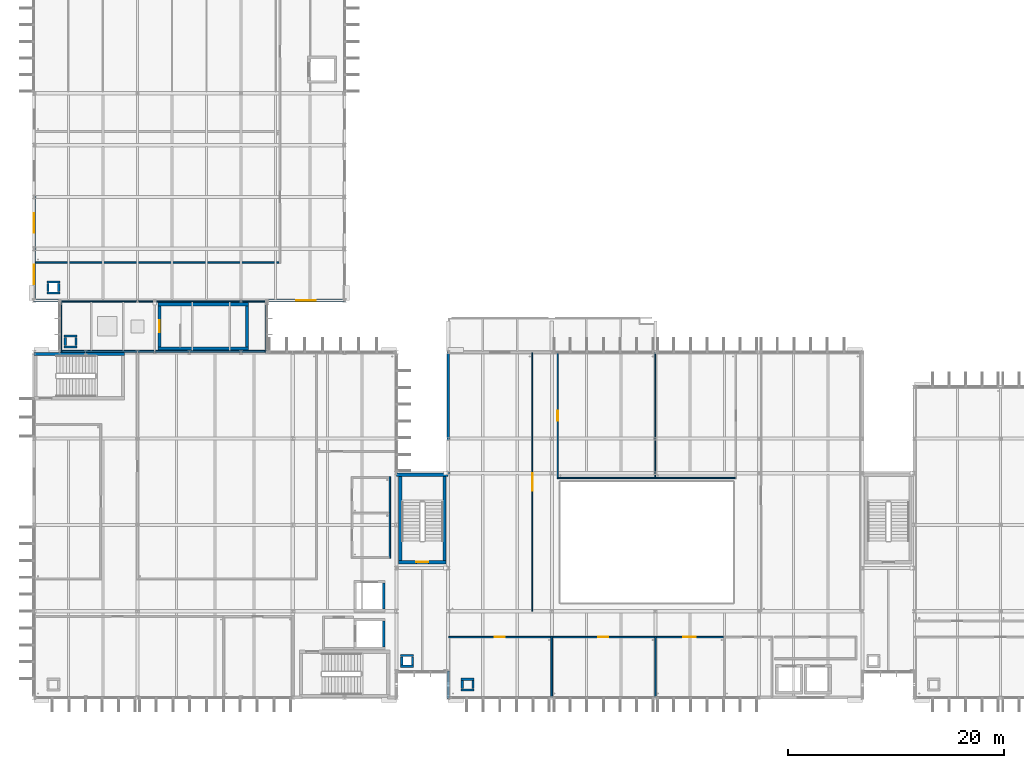
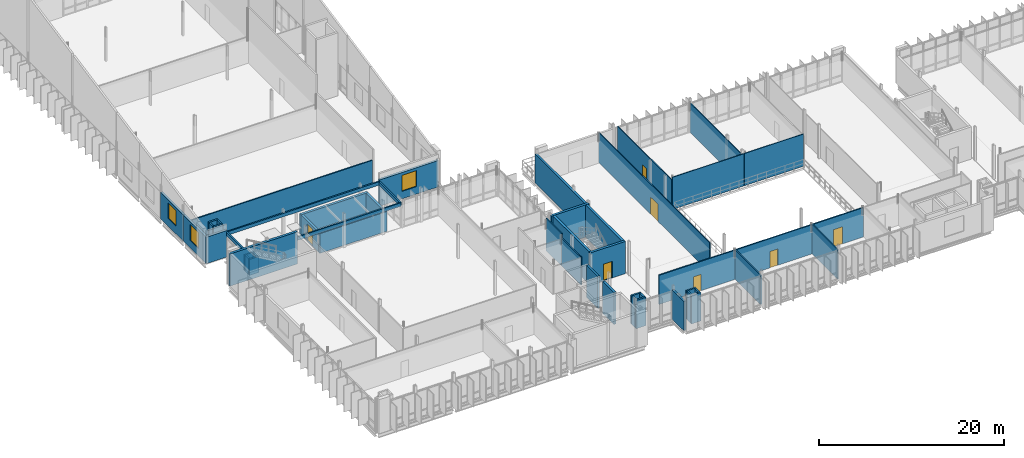
# One storey, part 51 of 93: 50 walls, 7 doors, 3 windows, 10 openings.
"""IFC4 building model written with IfcOpenShell, lengths in metres."""

from ifc_helpers import new_model, si_unit, direction, frame, frame_2d, origin, place, context, subcontext, project, spatial, rectangle, extrude, material, layer, layer_set, type_object, element, fill, save


model = new_model("IFC4")

# Units and contexts
model_context = context("Model", 3, precision=1e-05, world=origin(), true_north=direction((0.0, 1.0)))
body_context = subcontext(model_context, "Body", "Model", "MODEL_VIEW")
ifc_project = project(units=[si_unit("LENGTHUNIT", "METRE"), si_unit("AREAUNIT", "SQUARE_METRE"), si_unit("VOLUMEUNIT", "CUBIC_METRE"), si_unit("PLANEANGLEUNIT", "RADIAN"), si_unit("MASSUNIT", "GRAM", prefix="KILO")], contexts=[model_context])

# Site, building, storey
site_placement = place(None, origin())
site = spatial("IfcSite", under=ifc_project, at=site_placement, CompositionType="ELEMENT")
building_placement = place(site_placement, origin())
building = spatial("IfcBuilding", under=site, at=building_placement, Name="Dunescarp Central Library", CompositionType="ELEMENT")
storey_placement = place(building_placement, frame((0.0, 0.0, 14.10009765625)))
storey = spatial("IfcBuildingStorey", under=building, at=storey_placement, Name="L03", CompositionType="ELEMENT", Elevation=14.10009765625)

# Wall, opening, door
ifc_material_1 = material(Name="Gypsum plasterboard acoustic partition")
ifc_layer_1 = layer(ifc_material_1, 0.14990234375)
ifc_layer_set_1 = layer_set([ifc_layer_1], Name="Gypsum plasterboard acoustic partition")
wall_type_1 = type_object("IfcWallType", Name="ARC-PT-AC150", PredefinedType="PARTITIONING", material=ifc_layer_set_1)
wall_1_placement = place(storey_placement, frame((38.43994140625, 10.39990234375, 0.0), z_axis=(0.0, 0.0, 1.0), x_axis=(1.0, 0.0, 0.0)))
wall_1 = element("IfcWall", 1, at=wall_1_placement, inside=storey, type_object=wall_type_1, Name="L03 partition PT-L03-0201", PredefinedType="PARTITIONING", context=body_context, shape_type="SweptSolid", body=[
    extrude(rectangle(XDim=9.485107421875, YDim=0.14990234375, at=frame_2d((4.74267578125, 0.0))), origin(), (0.0, 0.0, 1.0), 3.86181640625),
])
opening_1_placement = place(wall_1_placement, frame((4.26806640625, 0.0, 0.0)))
opening_1 = element("IfcOpeningElement", 2, at=opening_1_placement, cuts=wall_1, Name="Opening DR-L03-0080", PredefinedType="OPENING", context=body_context, shape_type="SweptSolid", body=[
    extrude(rectangle(XDim=0.949951171875, YDim=2.14990234375, at=frame_2d((0.47509765625, 1.074951171875))), frame((0.0, 0.0849609375, 0.0), z_axis=(0.0, -1.0, 0.0), x_axis=(1.0, 0.0, 0.0)), (0.0, 0.0, 1.0), 0.169921875),
])
ifc_material_2 = material(Name="Hardwood solid-core timber leaf", Category="wood")
door_type_1 = type_object("IfcDoorType", Name="ARC-DR-INT950", OperationType="NOTDEFINED", PredefinedType="DOOR", material=ifc_material_2)
door_1_placement = place(opening_1_placement, origin())
door_1 = element("IfcDoor", 3, at=door_1_placement, inside=storey, type_object=door_type_1, Name="L03 interior door DR-L03-0080", OperationType="SINGLE_SWING_RIGHT", OverallHeight=2.14990234375, OverallWidth=0.949951171875, PredefinedType="DOOR", context=body_context, shape_type="SweptSolid", body=[
    extrude(rectangle(XDim=0.949951171875, YDim=2.14990234375, at=frame_2d((0.47509765625, 1.074951171875))), frame((0.0, 0.02490234375, 0.0), z_axis=(0.0, -1.0, 0.0), x_axis=(1.0, 0.0, 0.0)), (0.0, 0.0, 1.0), 0.050048828125),
])
fill(opening_1, door_1)

# Wall
wall_2_placement = place(storey_placement, frame((48.0, 4.840087890625, 0.0), z_axis=(0.0, 0.0, 1.0), x_axis=(0.0, 1.0, 0.0)))
element("IfcWall", 4, at=wall_2_placement, inside=storey, type_object=wall_type_1, Name="L03 partition PT-L03-0202", PredefinedType="PARTITIONING", context=body_context, shape_type="SweptSolid", body=[
    extrude(rectangle(XDim=5.635009765625, YDim=0.14990234375, at=frame_2d((2.8173828125, 0.0))), origin(), (0.0, 0.0, 1.0), 3.86181640625),
])

# Wall, opening, door
wall_3_placement = place(storey_placement, frame((48.0, 10.39990234375, 0.0), z_axis=(0.0, 0.0, 1.0), x_axis=(1.0, 0.0, 0.0)))
wall_3 = element("IfcWall", 5, at=wall_3_placement, inside=storey, type_object=wall_type_1, Name="L03 partition PT-L03-0203", PredefinedType="PARTITIONING", context=body_context, shape_type="SweptSolid", body=[
    extrude(rectangle(XDim=9.52490234375, YDim=0.14990234375, at=frame_2d((4.762451171875, 0.0))), origin(), (0.0, 0.0, 1.0), 3.86181640625),
])
opening_2_placement = place(wall_3_placement, frame((4.287109375, 0.0, 0.0)))
opening_2 = element("IfcOpeningElement", 6, at=opening_2_placement, cuts=wall_3, Name="Opening DR-L03-0081", PredefinedType="OPENING", context=body_context, shape_type="SweptSolid", body=[
    extrude(rectangle(XDim=0.949951171875, YDim=2.14990234375, at=frame_2d((0.47509765625, 1.074951171875))), frame((0.0, 0.0849609375, 0.0), z_axis=(0.0, -1.0, 0.0), x_axis=(1.0, 0.0, 0.0)), (0.0, 0.0, 1.0), 0.169921875),
])
door_2_placement = place(opening_2_placement, origin())
door_2 = element("IfcDoor", 7, at=door_2_placement, inside=storey, type_object=door_type_1, Name="L03 interior door DR-L03-0081", OperationType="SINGLE_SWING_LEFT", OverallHeight=2.14990234375, OverallWidth=0.949951171875, PredefinedType="DOOR", context=body_context, shape_type="SweptSolid", body=[
    extrude(rectangle(XDim=0.949951171875, YDim=2.14990234375, at=frame_2d((0.47509765625, 1.074951171875))), frame((0.0, 0.02490234375, 0.0), z_axis=(0.0, -1.0, 0.0), x_axis=(1.0, 0.0, 0.0)), (0.0, 0.0, 1.0), 0.050048828125),
])
fill(opening_2, door_2)

# Wall
wall_4_placement = place(storey_placement, frame((57.60009765625, 4.840087890625, 0.0), z_axis=(0.0, 0.0, 1.0), x_axis=(0.0, 1.0, 0.0)))
element("IfcWall", 8, at=wall_4_placement, inside=storey, type_object=wall_type_1, Name="L03 partition PT-L03-0204", PredefinedType="PARTITIONING", context=body_context, shape_type="SweptSolid", body=[
    extrude(rectangle(XDim=5.635009765625, YDim=0.14990234375, at=frame_2d((2.8173828125, 0.0))), origin(), (0.0, 0.0, 1.0), 3.86181640625),
])

# Wall, opening, door
wall_5_placement = place(storey_placement, frame((57.60009765625, 10.39990234375, 0.0), z_axis=(0.0, 0.0, 1.0), x_axis=(1.0, 0.0, 0.0)))
wall_5 = element("IfcWall", 9, at=wall_5_placement, inside=storey, type_object=wall_type_1, Name="L03 partition PT-L03-0205", PredefinedType="PARTITIONING", context=body_context, shape_type="SweptSolid", body=[
    extrude(rectangle(XDim=6.324951171875, YDim=0.14990234375, at=frame_2d((3.16259765625, 0.0))), origin(), (0.0, 0.0, 1.0), 3.86181640625),
])
opening_3_placement = place(wall_5_placement, frame((2.5869140625, 0.0, 0.0)))
opening_3 = element("IfcOpeningElement", 10, at=opening_3_placement, cuts=wall_5, Name="Opening DR-L03-0082", PredefinedType="OPENING", context=body_context, shape_type="SweptSolid", body=[
    extrude(rectangle(XDim=1.14990234375, YDim=2.25, at=frame_2d((0.574951171875, 1.125))), frame((0.0, 0.0849609375, 0.0), z_axis=(0.0, -1.0, 0.0), x_axis=(1.0, 0.0, 0.0)), (0.0, 0.0, 1.0), 0.169921875),
])
door_type_2 = type_object("IfcDoorType", Name="ARC-DR-STD1150", OperationType="NOTDEFINED", PredefinedType="DOOR", material=ifc_material_2)
door_3_placement = place(opening_3_placement, origin())
door_3 = element("IfcDoor", 11, at=door_3_placement, inside=storey, type_object=door_type_2, Name="L03 interior door DR-L03-0082", OperationType="SINGLE_SWING_RIGHT", OverallHeight=2.25, OverallWidth=1.14990234375, PredefinedType="DOOR", context=body_context, shape_type="SweptSolid", body=[
    extrude(rectangle(XDim=1.14990234375, YDim=2.25, at=frame_2d((0.574951171875, 1.125))), frame((0.0, 0.02490234375, 0.0), z_axis=(0.0, -1.0, 0.0), x_axis=(1.0, 0.0, 0.0)), (0.0, 0.0, 1.0), 0.050048828125),
])
fill(opening_3, door_3)

# Wall
wall_6_placement = place(storey_placement, frame((0.0400390625, 45.139892578125, 0.0), z_axis=(0.0, 0.0, 1.0), x_axis=(1.0, 0.0, 0.0)))
element("IfcWall", 12, at=wall_6_placement, inside=storey, type_object=wall_type_1, Name="L03 partition PT-L03-0372", PredefinedType="PARTITIONING", context=body_context, shape_type="SweptSolid", body=[
    extrude(rectangle(XDim=22.68505859375, YDim=0.14990234375, at=frame_2d((11.342529296875, 0.0))), origin(), (0.0, 0.0, 1.0), 3.474853515625),
])

# Wall, opening, door
ifc_material_3 = material(Name="Solar-control laminated double glazing", Category="glass")
ifc_layer_2 = layer(ifc_material_3, 0.10009765625)
ifc_layer_set_2 = layer_set([ifc_layer_2], Name="Solar-control laminated double glazing")
wall_type_2 = type_object("IfcWallType", Name="ARC-PT-GLZ100", PredefinedType="MOVABLE", material=ifc_layer_set_2)
wall_7_placement = place(storey_placement, frame((46.199951171875, 12.800048828125, 0.0), z_axis=(0.0, 0.0, 1.0), x_axis=(0.0, 1.0, 0.0)))
wall_7 = element("IfcWall", 13, at=wall_7_placement, inside=storey, type_object=wall_type_2, Name="L03 partition PT-L03-0209", PredefinedType="MOVABLE", context=body_context, shape_type="SweptSolid", body=[
    extrude(rectangle(XDim=23.9599609375, YDim=0.10009765625, at=frame_2d((11.97998046875, 0.0))), origin(), (0.0, 0.0, 1.0), 3.96484375),
])
opening_4_placement = place(wall_7_placement, frame((11.179931640625, 0.0, 0.0)))
opening_4 = element("IfcOpeningElement", 14, at=opening_4_placement, cuts=wall_7, Name="Opening DR-L03-0084", PredefinedType="OPENING", context=body_context, shape_type="SweptSolid", body=[
    extrude(rectangle(XDim=1.60009765625, YDim=2.25, at=frame_2d((0.800048828125, 1.125))), frame((0.0, 0.06005859375, 0.0), z_axis=(0.0, -1.0, 0.0), x_axis=(1.0, 0.0, 0.0)), (0.0, 0.0, 1.0), 0.1201171875),
])
ifc_material_4 = material(Name="Marine-grade anodised aluminium 6063-T6", Category="aluminium")
door_type_3 = type_object("IfcDoorType", Name="ARC-DR-DBL1600", OperationType="DOUBLE_DOOR_SINGLE_SWING", PredefinedType="DOOR", material=ifc_material_4)
door_4_placement = place(opening_4_placement, origin())
door_4 = element("IfcDoor", 15, at=door_4_placement, inside=storey, type_object=door_type_3, Name="L03 interior door DR-L03-0084", OperationType="DOUBLE_DOOR_SINGLE_SWING", OverallHeight=2.25, OverallWidth=1.60009765625, PredefinedType="DOOR", context=body_context, shape_type="SweptSolid", body=[
    extrude(rectangle(XDim=1.60009765625, YDim=2.25, at=frame_2d((0.800048828125, 1.125))), frame((0.0, 0.02490234375, 0.0), z_axis=(0.0, -1.0, 0.0), x_axis=(1.0, 0.0, 0.0)), (0.0, 0.0, 1.0), 0.050048828125),
])
fill(opening_4, door_4)

# Wall
wall_8_placement = place(storey_placement, frame((48.60009765625, 25.14990234375, 0.0), z_axis=(0.0, 0.0, 1.0), x_axis=(1.0, 0.0, 0.0)))
element("IfcWall", 16, at=wall_8_placement, inside=storey, type_object=wall_type_2, Name="L03 partition PT-L03-0212", PredefinedType="MOVABLE", context=body_context, shape_type="SweptSolid", body=[
    extrude(rectangle(XDim=8.949951171875, YDim=0.10009765625, at=frame_2d((4.47509765625, 0.0))), origin(), (0.0, 0.0, 1.0), 4.25),
])

# Wall, opening, door
wall_9_placement = place(storey_placement, frame((48.550048828125, 25.10009765625, 0.0), z_axis=(0.0, 0.0, 1.0), x_axis=(0.0, 1.0, 0.0)))
wall_9 = element("IfcWall", 17, at=wall_9_placement, inside=storey, type_object=wall_type_2, Name="L03 partition PT-L03-0213", PredefinedType="MOVABLE", context=body_context, shape_type="SweptSolid", body=[
    extrude(rectangle(XDim=11.659912109375, YDim=0.10009765625, at=frame_2d((5.830078125, 0.0))), origin(), (0.0, 0.0, 1.0), 3.96484375),
])
opening_5_placement = place(wall_9_placement, frame((5.35498046875, 0.0, 0.0)))
opening_5 = element("IfcOpeningElement", 18, at=opening_5_placement, cuts=wall_9, Name="Opening DR-L03-0086", PredefinedType="OPENING", context=body_context, shape_type="SweptSolid", body=[
    extrude(rectangle(XDim=0.949951171875, YDim=2.14990234375, at=frame_2d((0.47509765625, 1.074951171875))), frame((0.0, 0.06005859375, 0.0), z_axis=(0.0, -1.0, 0.0), x_axis=(1.0, 0.0, 0.0)), (0.0, 0.0, 1.0), 0.1201171875),
])
door_5_placement = place(opening_5_placement, origin())
door_5 = element("IfcDoor", 19, at=door_5_placement, inside=storey, type_object=door_type_1, Name="L03 interior door DR-L03-0086", OperationType="SINGLE_SWING_RIGHT", OverallHeight=2.14990234375, OverallWidth=0.949951171875, PredefinedType="DOOR", context=body_context, shape_type="SweptSolid", body=[
    extrude(rectangle(XDim=0.949951171875, YDim=2.14990234375, at=frame_2d((0.47509765625, 1.074951171875))), frame((0.0, 0.02490234375, 0.0), z_axis=(0.0, -1.0, 0.0), x_axis=(1.0, 0.0, 0.0)), (0.0, 0.0, 1.0), 0.050048828125),
])
fill(opening_5, door_5)

# Walls
wall_10_placement = place(storey_placement, frame((57.60009765625, 25.10009765625, 0.0), z_axis=(0.0, 0.0, 1.0), x_axis=(0.0, 1.0, 0.0)))
element("IfcWall", 20, at=wall_10_placement, inside=storey, type_object=wall_type_2, Name="L03 partition PT-L03-0214", PredefinedType="MOVABLE", context=body_context, shape_type="SweptSolid", body=[
    extrude(rectangle(XDim=11.659912109375, YDim=0.10009765625, at=frame_2d((5.830078125, 0.0))), origin(), (0.0, 0.0, 1.0), 3.86181640625),
])
wall_11_placement = place(storey_placement, frame((57.60009765625, 25.14990234375, 0.0), z_axis=(0.0, 0.0, 1.0), x_axis=(1.0, 0.0, 0.0)))
element("IfcWall", 21, at=wall_11_placement, inside=storey, type_object=wall_type_2, Name="L03 partition PT-L03-0215", PredefinedType="MOVABLE", context=body_context, shape_type="SweptSolid", body=[
    extrude(rectangle(XDim=7.39990234375, YDim=0.10009765625, at=frame_2d((3.699951171875, 0.0))), origin(), (0.0, 0.0, 1.0), 4.25),
])
ifc_material_5 = material(Name="Autoclaved aerated concrete block", Category="concrete")
ifc_layer_3 = layer(ifc_material_5, 0.139892578125)
ifc_layer_set_3 = layer_set([ifc_layer_3], Name="Autoclaved aerated concrete block")
wall_type_3 = type_object("IfcWallType", Name="ARC-PT-WET140", PredefinedType="PARTITIONING", material=ifc_layer_set_3)
wall_12_placement = place(storey_placement, frame((33.0, 17.72998046875, 0.0), z_axis=(0.0, 0.0, 1.0), x_axis=(0.0, 1.0, 0.0)))
element("IfcWall", 22, at=wall_12_placement, inside=storey, type_object=wall_type_3, Name="L03 partition PT-L03-0076", PredefinedType="PARTITIONING", context=body_context, shape_type="SweptSolid", body=[
    extrude(rectangle(XDim=4.239990234375, YDim=0.139892578125, at=frame_2d((2.1201171875, 0.0))), origin(), (0.0, 0.0, 1.0), 3.6748046875),
])
wall_13_placement = place(storey_placement, frame((33.0, 21.89990234375, 0.0), z_axis=(0.0, 0.0, 1.0), x_axis=(0.0, 1.0, 0.0)))
element("IfcWall", 23, at=wall_13_placement, inside=storey, type_object=wall_type_3, Name="L03 partition PT-L03-0079", PredefinedType="PARTITIONING", context=body_context, shape_type="SweptSolid", body=[
    extrude(rectangle(XDim=3.3701171875, YDim=0.139892578125, at=frame_2d((1.68505859375, 0.0))), origin(), (0.0, 0.0, 1.0), 4.25),
])
ifc_material_6 = material(Name="Glass-fibre reinforced concrete GRC", Category="concrete")
ifc_layer_4 = layer(ifc_material_6, 0.260009765625)
ifc_layer_set_4 = layer_set([ifc_layer_4], Name="Glass-fibre reinforced concrete GRC")
wall_type_4 = type_object("IfcWallType", Name="ARC-WL-GRC260", PredefinedType="SOLIDWALL", material=ifc_layer_set_4)
wall_14_placement = place(storey_placement, frame((38.39990234375, 4.715087890625, 0.0), z_axis=(0.0, 0.0, 1.0), x_axis=(0.0, 1.0, 0.0)))
element("IfcWall", 24, at=wall_14_placement, inside=storey, type_object=wall_type_4, Name="L03 external wall EW-V2-050", PredefinedType="SOLIDWALL", context=body_context, shape_type="SweptSolid", body=[
    extrude(rectangle(XDim=2.56982421875, YDim=0.260009765625, at=frame_2d((1.284912109375, 0.0))), origin(), (0.0, 0.0, 1.0), 3.8349609375),
])
wall_15_placement = place(storey_placement, frame((38.39990234375, 25.514892578125, 0.0), z_axis=(0.0, 0.0, 1.0), x_axis=(0.0, 1.0, 0.0)))
element("IfcWall", 25, at=wall_15_placement, inside=storey, type_object=wall_type_4, Name="L03 external wall EW-V2-051", PredefinedType="SOLIDWALL", context=body_context, shape_type="SweptSolid", body=[
    extrude(rectangle(XDim=11.3701171875, YDim=0.260009765625, at=frame_2d((5.68505859375, 0.0))), origin(), (0.0, 0.0, 1.0), 3.8349609375),
])
ifc_layer_5 = layer(ifc_material_6, 0.280029296875)
ifc_layer_set_5 = layer_set([ifc_layer_5], Name="Glass-fibre reinforced concrete GRC")
wall_type_5 = type_object("IfcWallType", Name="ARC-WL-GRC280", PredefinedType="SOLIDWALL", material=ifc_layer_set_5)
wall_16_placement = place(storey_placement, frame((2.485107421875, 41.60009765625, 0.0), z_axis=(0.0, 0.0, 1.0), x_axis=(-1.0, 0.0, 0.0)))
element("IfcWall", 26, at=wall_16_placement, inside=storey, type_object=wall_type_5, Name="L03 external wall EW-V4-137", PredefinedType="SOLIDWALL", context=body_context, shape_type="SweptSolid", body=[
    extrude(rectangle(XDim=2.570068359375, YDim=0.280029296875, at=frame_2d((1.28515625, 0.0))), origin(), (0.0, 0.0, 1.0), 3.48193359375),
])

# Wall, opening, window
wall_17_placement = place(storey_placement, frame((28.885009765625, 41.60009765625, 0.0), z_axis=(0.0, 0.0, 1.0), x_axis=(-1.0, 0.0, 0.0)))
wall_17 = element("IfcWall", 27, at=wall_17_placement, inside=storey, type_object=wall_type_5, Name="L03 external wall EW-V4-138", PredefinedType="SOLIDWALL", context=body_context, shape_type="SweptSolid", body=[
    extrude(rectangle(XDim=7.3701171875, YDim=0.280029296875, at=frame_2d((3.68505859375, 0.0))), origin(), (0.0, 0.0, 1.0), 3.48193359375),
])
opening_6_placement = place(wall_17_placement, frame((2.784912109375, 0.0, 1.0)))
opening_6 = element("IfcOpeningElement", 28, at=opening_6_placement, cuts=wall_17, Name="Opening WN-V4S-L03", PredefinedType="OPENING", context=body_context, shape_type="SweptSolid", body=[
    extrude(rectangle(XDim=1.800048828125, YDim=2.10009765625, at=frame_2d((0.89990234375, 1.050048828125))), frame((0.0, 0.14990234375, 0.0), z_axis=(0.0, -1.0, 0.0), x_axis=(1.0, 0.0, 0.0)), (0.0, 0.0, 1.0), 0.300048828125),
])
window_type = type_object("IfcWindowType", Name="ARC-WN-1800X2100", PartitioningType="SINGLE_PANEL", PredefinedType="WINDOW", material=ifc_material_3)
window_1_placement = place(opening_6_placement, origin())
window_1 = element("IfcWindow", 29, at=window_1_placement, inside=storey, type_object=window_type, Name="L03 window WN-V4S-L03", OverallHeight=2.10009765625, OverallWidth=1.800048828125, PartitioningType="SINGLE_PANEL", PredefinedType="WINDOW", context=body_context, shape_type="SweptSolid", body=[
    extrude(rectangle(XDim=1.800048828125, YDim=2.10009765625, at=frame_2d((0.89990234375, 1.050048828125))), frame((0.0, 0.030029296875, 0.0), z_axis=(0.0, -1.0, 0.0), x_axis=(1.0, 0.0, 0.0)), (0.0, 0.0, 1.0), 0.06005859375),
])
fill(opening_6, window_1)

wall_18_placement = place(storey_placement, frame((0.0, 41.514892578125, 0.0), z_axis=(0.0, 0.0, 1.0), x_axis=(0.0, 1.0, 0.0)))
wall_18 = element("IfcWall", 30, at=wall_18_placement, inside=storey, type_object=wall_type_5, Name="L03 external wall EW-V4-139", PredefinedType="SOLIDWALL", context=body_context, shape_type="SweptSolid", body=[
    extrude(rectangle(XDim=4.97021484375, YDim=0.280029296875, at=frame_2d((2.485107421875, 0.0))), origin(), (0.0, 0.0, 1.0), 3.48193359375),
])
opening_7_placement = place(wall_18_placement, frame((1.5849609375, 0.0, 1.0)))
opening_7 = element("IfcOpeningElement", 31, at=opening_7_placement, cuts=wall_18, Name="Opening WN-038", PredefinedType="OPENING", context=body_context, shape_type="SweptSolid", body=[
    extrude(rectangle(XDim=1.800048828125, YDim=2.10009765625, at=frame_2d((0.89990234375, 1.050048828125))), frame((0.0, 0.14990234375, 0.0), z_axis=(0.0, -1.0, 0.0), x_axis=(1.0, 0.0, 0.0)), (0.0, 0.0, 1.0), 0.300048828125),
])
window_2_placement = place(opening_7_placement, origin())
window_2 = element("IfcWindow", 32, at=window_2_placement, inside=storey, type_object=window_type, Name="L03 window WN-038", OverallHeight=2.10009765625, OverallWidth=1.800048828125, PartitioningType="SINGLE_PANEL", PredefinedType="WINDOW", context=body_context, shape_type="SweptSolid", body=[
    extrude(rectangle(XDim=1.800048828125, YDim=2.10009765625, at=frame_2d((0.89990234375, 1.050048828125))), frame((0.0, 0.030029296875, 0.0), z_axis=(0.0, -1.0, 0.0), x_axis=(1.0, 0.0, 0.0)), (0.0, 0.0, 1.0), 0.06005859375),
])
fill(opening_7, window_2)

wall_19_placement = place(storey_placement, frame((0.0, 46.31494140625, 0.0), z_axis=(0.0, 0.0, 1.0), x_axis=(0.0, 1.0, 0.0)))
wall_19 = element("IfcWall", 33, at=wall_19_placement, inside=storey, type_object=wall_type_5, Name="L03 external wall EW-V4-141", PredefinedType="SOLIDWALL", context=body_context, shape_type="SweptSolid", body=[
    extrude(rectangle(XDim=4.969970703125, YDim=0.280029296875, at=frame_2d((2.48486328125, 0.0))), origin(), (0.0, 0.0, 1.0), 3.48193359375),
])
opening_8_placement = place(wall_19_placement, frame((1.5849609375, 0.0, 1.0)))
opening_8 = element("IfcOpeningElement", 34, at=opening_8_placement, cuts=wall_19, Name="Opening WN-040", PredefinedType="OPENING", context=body_context, shape_type="SweptSolid", body=[
    extrude(rectangle(XDim=1.800048828125, YDim=2.10009765625, at=frame_2d((0.89990234375, 1.050048828125))), frame((0.0, 0.14990234375, 0.0), z_axis=(0.0, -1.0, 0.0), x_axis=(1.0, 0.0, 0.0)), (0.0, 0.0, 1.0), 0.300048828125),
])
window_3_placement = place(opening_8_placement, origin())
window_3 = element("IfcWindow", 35, at=window_3_placement, inside=storey, type_object=window_type, Name="L03 window WN-040", OverallHeight=2.10009765625, OverallWidth=1.800048828125, PartitioningType="SINGLE_PANEL", PredefinedType="WINDOW", context=body_context, shape_type="SweptSolid", body=[
    extrude(rectangle(XDim=1.800048828125, YDim=2.10009765625, at=frame_2d((0.89990234375, 1.050048828125))), frame((0.0, 0.030029296875, 0.0), z_axis=(0.0, -1.0, 0.0), x_axis=(1.0, 0.0, 0.0)), (0.0, 0.0, 1.0), 0.06005859375),
])
fill(opening_8, window_3)

# Walls
ifc_material_7 = material(Name="Concrete C35/45", Category="concrete")
ifc_layer_6 = layer(ifc_material_7, 0.179931640625)
ifc_layer_set_6 = layer_set([ifc_layer_6], Name="Concrete C35/45")
wall_type_6 = type_object("IfcWallType", Name="ARC-WL-PAR180", PredefinedType="PARAPET", material=ifc_layer_set_6)
for number, where, z_axis, x_axis, name in (
    (36, (21.510009765625, 36.889892578125, 2.849853515625), (0.0, 0.0, 1.0), (-1.0, 0.0, 0.0), "L03 maintenance roof parapet PAR-L03-009"),
    (37, (2.489990234375, 41.510009765625, 2.849853515625), (0.0, 0.0, 1.0), (1.0, 0.0, 0.0), "L03 maintenance roof parapet PAR-L03-010"),
):
    element("IfcWall", number, at=place(storey_placement, frame(where, z_axis=z_axis, x_axis=x_axis)), inside=storey, type_object=wall_type_6, Name=name, PredefinedType="PARAPET", context=body_context, shape_type="SweptSolid", body=[
        extrude(rectangle(XDim=19.02001953125, YDim=0.179931640625, at=frame_2d((9.510009765625, 0.0))), origin(), (0.0, 0.0, 1.0), 0.449951171875),
    ])
for number, where, z_axis, x_axis, name in (
    (38, (2.489990234375, 36.889892578125, 2.849853515625), (0.0, 0.0, 1.0), (0.0, 1.0, 0.0), "L03 maintenance roof parapet PAR-L03-011"),
    (39, (21.510009765625, 41.510009765625, 2.849853515625), (0.0, 0.0, 1.0), (0.0, -1.0, 0.0), "L03 maintenance roof parapet PAR-L03-012"),
):
    element("IfcWall", number, at=place(storey_placement, frame(where, z_axis=z_axis, x_axis=x_axis)), inside=storey, type_object=wall_type_6, Name=name, PredefinedType="PARAPET", context=body_context, shape_type="SweptSolid", body=[
        extrude(rectangle(XDim=4.6201171875, YDim=0.179931640625, at=frame_2d((2.31005859375, 0.0))), origin(), (0.0, 0.0, 1.0), 0.449951171875),
    ])
ifc_layer_7 = layer(ifc_material_7, 0.199951171875)
ifc_layer_set_7 = layer_set([ifc_layer_7], Name="Concrete C35/45")
wall_type_7 = type_object("IfcWallType", Name="ARC-WL-RISER200", PredefinedType="PARTITIONING", material=ifc_layer_set_7)
for number, where, z_axis, x_axis, name in (
    (40, (40.800048828125, 5.5, 0.0), (0.0, 0.0, 1.0), (-1.0, 0.0, 0.0), "L03 V2 duct shaft wall S"),
    (41, (39.60009765625, 6.5, 0.0), (0.0, 0.0, 1.0), (1.0, 0.0, 0.0), "L03 V2 duct shaft wall N"),
):
    element("IfcWall", number, at=place(storey_placement, frame(where, z_axis=z_axis, x_axis=x_axis)), inside=storey, type_object=wall_type_7, Name=name, PredefinedType="PARTITIONING", context=body_context, shape_type="SweptSolid", body=[
        extrude(rectangle(XDim=1.199951171875, YDim=0.199951171875, at=frame_2d((0.60009765625, 0.0))), origin(), (0.0, 0.0, 1.0), 3.75),
    ])
for number, where, z_axis, x_axis, name in (
    (42, (39.699951171875, 5.6201171875, 0.0), (0.0, 0.0, 1.0), (0.0, 1.0, 0.0), "L03 V2 duct shaft wall W"),
    (43, (40.699951171875, 6.3798828125, 0.0), (0.0, 0.0, 1.0), (0.0, -1.0, 0.0), "L03 V2 duct shaft wall E"),
):
    element("IfcWall", number, at=place(storey_placement, frame(where, z_axis=z_axis, x_axis=x_axis)), inside=storey, type_object=wall_type_7, Name=name, PredefinedType="PARTITIONING", context=body_context, shape_type="SweptSolid", body=[
        extrude(rectangle(XDim=0.759765625, YDim=0.199951171875, at=frame_2d((0.3798828125, 0.0))), origin(), (0.0, 0.0, 1.0), 3.75),
    ])
for number, where, z_axis, x_axis, name in (
    (44, (2.39990234375, 42.300048828125, 0.0), (0.0, 0.0, 1.0), (-1.0, 0.0, 0.0), "L03 V4 duct shaft wall S"),
    (45, (1.199951171875, 43.300048828125, 0.0), (0.0, 0.0, 1.0), (1.0, 0.0, 0.0), "L03 V4 duct shaft wall N"),
):
    element("IfcWall", number, at=place(storey_placement, frame(where, z_axis=z_axis, x_axis=x_axis)), inside=storey, type_object=wall_type_7, Name=name, PredefinedType="PARTITIONING", context=body_context, shape_type="SweptSolid", body=[
        extrude(rectangle(XDim=1.199951171875, YDim=0.199951171875, at=frame_2d((0.60009765625, 0.0))), origin(), (0.0, 0.0, 1.0), 3.910888671875),
    ])
for number, where, z_axis, x_axis, name in (
    (46, (1.300048828125, 42.419921875, 0.0), (0.0, 0.0, 1.0), (0.0, 1.0, 0.0), "L03 V4 duct shaft wall W"),
    (47, (2.300048828125, 43.179931640625, 0.0), (0.0, 0.0, 1.0), (0.0, -1.0, 0.0), "L03 V4 duct shaft wall E"),
):
    element("IfcWall", number, at=place(storey_placement, frame(where, z_axis=z_axis, x_axis=x_axis)), inside=storey, type_object=wall_type_7, Name=name, PredefinedType="PARTITIONING", context=body_context, shape_type="SweptSolid", body=[
        extrude(rectangle(XDim=0.760009765625, YDim=0.199951171875, at=frame_2d((0.3798828125, 0.0))), origin(), (0.0, 0.0, 1.0), 3.910888671875),
    ])
for number, where, z_axis, x_axis, name in (
    (48, (35.199951171875, 7.699951171875, 0.0), (0.0, 0.0, 1.0), (-1.0, 0.0, 0.0), "L03 GL1 duct shaft wall S"),
    (49, (34.0, 8.699951171875, 0.0), (0.0, 0.0, 1.0), (1.0, 0.0, 0.0), "L03 GL1 duct shaft wall N"),
):
    element("IfcWall", number, at=place(storey_placement, frame(where, z_axis=z_axis, x_axis=x_axis)), inside=storey, type_object=wall_type_7, Name=name, PredefinedType="PARTITIONING", context=body_context, shape_type="SweptSolid", body=[
        extrude(rectangle(XDim=1.199951171875, YDim=0.199951171875, at=frame_2d((0.60009765625, 0.0))), origin(), (0.0, 0.0, 1.0), 3.75),
    ])
for number, where, z_axis, x_axis, name in (
    (50, (34.10009765625, 7.820068359375, 0.0), (0.0, 0.0, 1.0), (0.0, 1.0, 0.0), "L03 GL1 duct shaft wall W"),
    (51, (35.10009765625, 8.580078125, 0.0), (0.0, 0.0, 1.0), (0.0, -1.0, 0.0), "L03 GL1 duct shaft wall E"),
):
    element("IfcWall", number, at=place(storey_placement, frame(where, z_axis=z_axis, x_axis=x_axis)), inside=storey, type_object=wall_type_7, Name=name, PredefinedType="PARTITIONING", context=body_context, shape_type="SweptSolid", body=[
        extrude(rectangle(XDim=0.760009765625, YDim=0.199951171875, at=frame_2d((0.3798828125, 0.0))), origin(), (0.0, 0.0, 1.0), 3.75),
    ])
for number, where, z_axis, x_axis, name in (
    (52, (4.0, 37.300048828125, 0.0), (0.0, 0.0, 1.0), (-1.0, 0.0, 0.0), "L03 GL4 duct shaft wall S"),
    (53, (2.800048828125, 38.300048828125, 0.0), (0.0, 0.0, 1.0), (1.0, 0.0, 0.0), "L03 GL4 duct shaft wall N"),
):
    element("IfcWall", number, at=place(storey_placement, frame(where, z_axis=z_axis, x_axis=x_axis)), inside=storey, type_object=wall_type_7, Name=name, PredefinedType="PARTITIONING", context=body_context, shape_type="SweptSolid", body=[
        extrude(rectangle(XDim=1.199951171875, YDim=0.199951171875, at=frame_2d((0.60009765625, 0.0))), origin(), (0.0, 0.0, 1.0), 2.10498046875),
    ])
for number, where, z_axis, x_axis, name in (
    (54, (2.89990234375, 37.419921875, 0.0), (0.0, 0.0, 1.0), (0.0, 1.0, 0.0), "L03 GL4 duct shaft wall W"),
    (55, (3.89990234375, 38.179931640625, 0.0), (0.0, 0.0, 1.0), (0.0, -1.0, 0.0), "L03 GL4 duct shaft wall E"),
):
    element("IfcWall", number, at=place(storey_placement, frame(where, z_axis=z_axis, x_axis=x_axis)), inside=storey, type_object=wall_type_7, Name=name, PredefinedType="PARTITIONING", context=body_context, shape_type="SweptSolid", body=[
        extrude(rectangle(XDim=0.760009765625, YDim=0.199951171875, at=frame_2d((0.3798828125, 0.0))), origin(), (0.0, 0.0, 1.0), 2.10498046875),
    ])
ifc_material_8 = material(Name="Concrete C40/50", Category="concrete")
ifc_layer_8 = layer(ifc_material_8, 0.25)
ifc_layer_set_8 = layer_set([ifc_layer_8], Name="Concrete C40/50")
wall_type_8 = type_object("IfcWallType", Name="STR-WL-CORE250", PredefinedType="SHEAR", material=ifc_layer_set_8)
for number, where, z_axis, x_axis, name in (
    (56, (32.425048828125, 11.89990234375, 0.0), (0.0, 0.0, 1.0), (0.0, -1.0, 0.0), "L03 FFL-1 lift shaft wall E"),
    (57, (32.425048828125, 15.39990234375, 0.0), (0.0, 0.0, 1.0), (0.0, -1.0, 0.0), "L03 SL-1 lift shaft wall E"),
):
    element("IfcWall", number, at=place(storey_placement, frame(where, z_axis=z_axis, x_axis=x_axis)), inside=storey, type_object=wall_type_8, Name=name, PredefinedType="SHEAR", context=body_context, shape_type="SweptSolid", body=[
        extrude(rectangle(XDim=2.39990234375, YDim=0.25, at=frame_2d((1.199951171875, 0.0))), origin(), (0.0, 0.0, 1.0), 4.25),
    ])
ifc_layer_9 = layer(ifc_material_8, 0.300048828125)
ifc_layer_set_9 = layer_set([ifc_layer_9], Name="Concrete C40/50")
wall_type_9 = type_object("IfcWallType", Name="STR-WL-CORE300", PredefinedType="SHEAR", material=ifc_layer_set_9)
wall_20_placement = place(storey_placement, frame((0.0, 36.64990234375, 0.0), z_axis=(0.0, 0.0, 1.0), x_axis=(1.0, 0.0, 0.0)))
element("IfcWall", 58, at=wall_20_placement, inside=storey, type_object=wall_type_9, Name="L03 ST-6 north core wall", PredefinedType="SHEAR", context=body_context, shape_type="SweptSolid", body=[
    extrude(rectangle(XDim=8.39990234375, YDim=0.300048828125, at=frame_2d((4.199951171875, 0.0))), origin(), (0.0, 0.0, 1.0), 4.25),
])

# Wall, opening, door
wall_21_placement = place(storey_placement, frame((38.199951171875, 17.35009765625, 0.0), z_axis=(0.0, 0.0, 1.0), x_axis=(-1.0, 0.0, 0.0)))
wall_21 = element("IfcWall", 59, at=wall_21_placement, inside=storey, type_object=wall_type_9, Name="L03 ST-2 south core wall", PredefinedType="SHEAR", context=body_context, shape_type="SweptSolid", body=[
    extrude(rectangle(XDim=4.39990234375, YDim=0.300048828125, at=frame_2d((2.199951171875, 0.0))), origin(), (0.0, 0.0, 1.0), 4.25),
])
opening_9_placement = place(wall_21_placement, frame((1.64990234375, 0.0, 0.0)))
opening_9 = element("IfcOpeningElement", 60, at=opening_9_placement, cuts=wall_21, Name="Opening D-ST-2-L03", PredefinedType="OPENING", context=body_context, shape_type="SweptSolid", body=[
    extrude(rectangle(XDim=1.10009765625, YDim=2.199951171875, at=frame_2d((0.550048828125, 1.10009765625))), frame((0.0, 0.16015625, 0.0), z_axis=(0.0, -1.0, 0.0), x_axis=(1.0, 0.0, 0.0)), (0.0, 0.0, 1.0), 0.320068359375),
])
ifc_material_9 = material(Name="Galvanised steel FD120S", Category="steel")
door_type_4 = type_object("IfcDoorType", Name="ARC-DR-STAIR", OperationType="NOTDEFINED", PredefinedType="DOOR", material=ifc_material_9)
door_6_placement = place(opening_9_placement, origin())
door_6 = element("IfcDoor", 61, at=door_6_placement, inside=storey, type_object=door_type_4, Name="L03 ST-2 fire stair door", OperationType="SINGLE_SWING_LEFT", OverallHeight=2.199951171875, OverallWidth=1.10009765625, PredefinedType="DOOR", context=body_context, shape_type="SweptSolid", body=[
    extrude(rectangle(XDim=1.10009765625, YDim=2.199951171875, at=frame_2d((0.550048828125, 1.10009765625))), frame((0.0, 0.02490234375, 0.0), z_axis=(0.0, -1.0, 0.0), x_axis=(1.0, 0.0, 0.0)), (0.0, 0.0, 1.0), 0.050048828125),
])
fill(opening_9, door_6)

# Walls
wall_22_placement = place(storey_placement, frame((33.6201171875, 25.449951171875, 0.0), z_axis=(0.0, 0.0, 1.0), x_axis=(1.0, 0.0, 0.0)))
element("IfcWall", 62, at=wall_22_placement, inside=storey, type_object=wall_type_9, Name="L03 ST-2 north core wall", PredefinedType="SHEAR", context=body_context, shape_type="SweptSolid", body=[
    extrude(rectangle(XDim=4.759765625, YDim=0.300048828125, at=frame_2d((2.3798828125, 0.0))), origin(), (0.0, 0.0, 1.0), 4.25),
])
for number, where, z_axis, x_axis, name in (
    (63, (33.949951171875, 17.5, 0.0), (0.0, 0.0, 1.0), (0.0, 1.0, 0.0), "L03 ST-2 west core wall"),
    (64, (38.050048828125, 25.300048828125, 0.0), (0.0, 0.0, 1.0), (0.0, -1.0, 0.0), "L03 ST-2 east core wall"),
):
    element("IfcWall", number, at=place(storey_placement, frame(where, z_axis=z_axis, x_axis=x_axis)), inside=storey, type_object=wall_type_9, Name=name, PredefinedType="SHEAR", context=body_context, shape_type="SweptSolid", body=[
        extrude(rectangle(XDim=7.800048828125, YDim=0.300048828125, at=frame_2d((3.89990234375, 0.0))), origin(), (0.0, 0.0, 1.0), 4.25),
    ])
for number, where, z_axis, x_axis, name in (
    (65, (19.89990234375, 37.14990234375, 0.0), (0.0, 0.0, 1.0), (-1.0, 0.0, 0.0), "L03 ST-4 south core wall"),
    (66, (11.5, 41.25, 0.0), (0.0, 0.0, 1.0), (1.0, 0.0, 0.0), "L03 ST-4 north core wall"),
):
    element("IfcWall", number, at=place(storey_placement, frame(where, z_axis=z_axis, x_axis=x_axis)), inside=storey, type_object=wall_type_9, Name=name, PredefinedType="SHEAR", context=body_context, shape_type="SweptSolid", body=[
        extrude(rectangle(XDim=8.39990234375, YDim=0.300048828125, at=frame_2d((4.199951171875, 0.0))), origin(), (0.0, 0.0, 1.0), 2.60498046875),
    ])

# Wall, opening, door
wall_23_placement = place(storey_placement, frame((11.64990234375, 37.300048828125, 0.0), z_axis=(0.0, 0.0, 1.0), x_axis=(0.0, 1.0, 0.0)))
wall_23 = element("IfcWall", 67, at=wall_23_placement, inside=storey, type_object=wall_type_9, Name="L03 ST-4 west core wall", PredefinedType="SHEAR", context=body_context, shape_type="SweptSolid", body=[
    extrude(rectangle(XDim=3.800048828125, YDim=0.300048828125, at=frame_2d((1.89990234375, 0.0))), origin(), (0.0, 0.0, 1.0), 2.60498046875),
])
opening_10_placement = place(wall_23_placement, frame((1.35009765625, 0.0, 0.0)))
opening_10 = element("IfcOpeningElement", 68, at=opening_10_placement, cuts=wall_23, Name="Opening D-ST-4-L03", PredefinedType="OPENING", context=body_context, shape_type="SweptSolid", body=[
    extrude(rectangle(XDim=1.10009765625, YDim=2.199951171875, at=frame_2d((0.550048828125, 1.10009765625))), frame((0.0, 0.16015625, 0.0), z_axis=(0.0, -1.0, 0.0), x_axis=(1.0, 0.0, 0.0)), (0.0, 0.0, 1.0), 0.320068359375),
])
door_7_placement = place(opening_10_placement, origin())
door_7 = element("IfcDoor", 69, at=door_7_placement, inside=storey, type_object=door_type_4, Name="L03 ST-4 fire stair door", OperationType="SINGLE_SWING_RIGHT", OverallHeight=2.199951171875, OverallWidth=1.10009765625, PredefinedType="DOOR", context=body_context, shape_type="SweptSolid", body=[
    extrude(rectangle(XDim=1.10009765625, YDim=2.199951171875, at=frame_2d((0.550048828125, 1.10009765625))), frame((0.0, 0.02490234375, 0.0), z_axis=(0.0, -1.0, 0.0), x_axis=(1.0, 0.0, 0.0)), (0.0, 0.0, 1.0), 0.050048828125),
])
fill(opening_10, door_7)

# Wall
wall_24_placement = place(storey_placement, frame((19.75, 41.10009765625, 0.0), z_axis=(0.0, 0.0, 1.0), x_axis=(0.0, -1.0, 0.0)))
element("IfcWall", 70, at=wall_24_placement, inside=storey, type_object=wall_type_9, Name="L03 ST-4 east core wall", PredefinedType="SHEAR", context=body_context, shape_type="SweptSolid", body=[
    extrude(rectangle(XDim=3.800048828125, YDim=0.300048828125, at=frame_2d((1.89990234375, 0.0))), origin(), (0.0, 0.0, 1.0), 2.60498046875),
])

save(model, "model.ifc")
